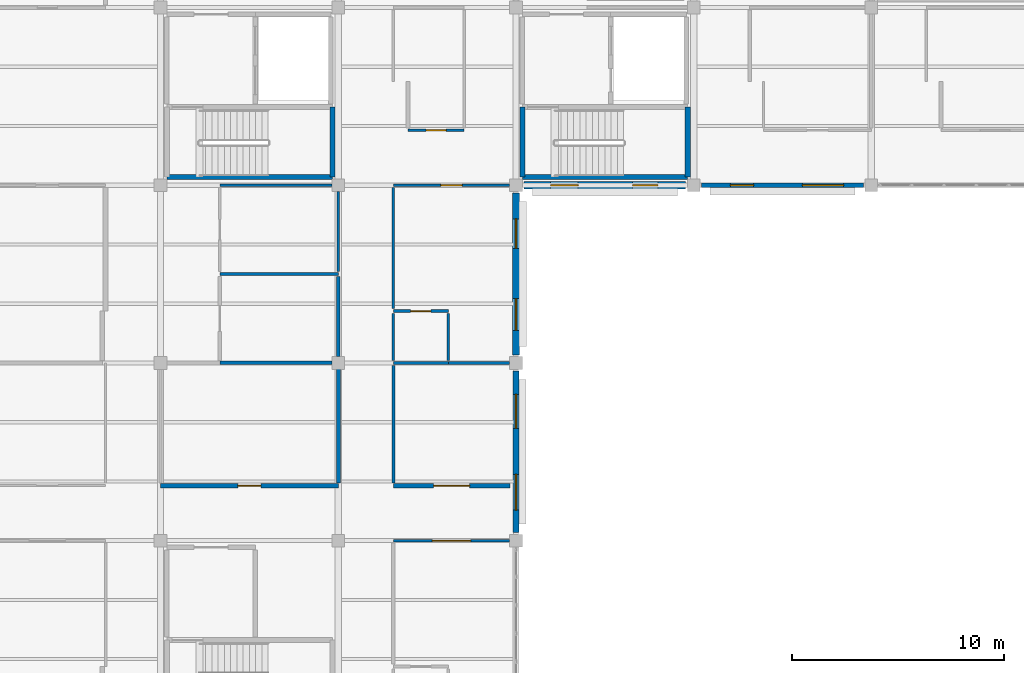
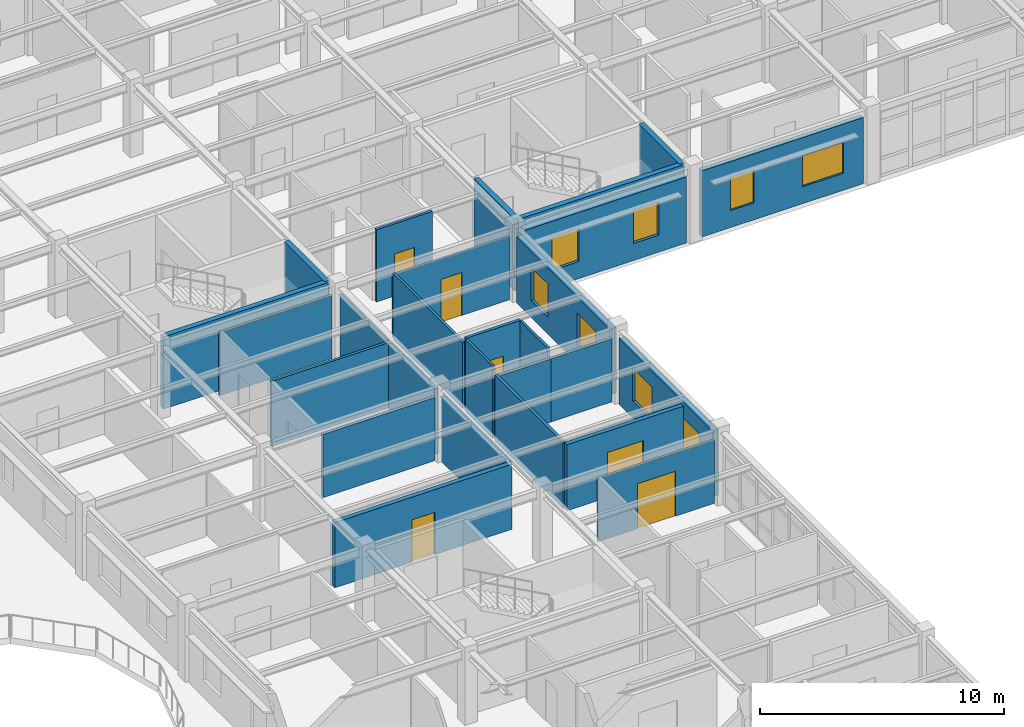
# One storey, part 60 of 86: 27 walls, 8 windows, 6 doors, 14 openings.
"""IFC4 building model written with IfcOpenShell, lengths in metres."""

from ifc_helpers import new_model, si_unit, direction, frame, frame_2d, origin, place, context, subcontext, project, spatial, rectangle, extrude, material, layer, layer_set, type_object, element, fill, save


model = new_model("IFC4")

# Units and contexts
model_context = context("Model", 3, precision=1e-05, world=origin(), true_north=direction((0.0, 1.0)))
body_context = subcontext(model_context, "Body", "Model", "MODEL_VIEW")
ifc_project = project(units=[si_unit("LENGTHUNIT", "METRE"), si_unit("AREAUNIT", "SQUARE_METRE"), si_unit("VOLUMEUNIT", "CUBIC_METRE"), si_unit("PLANEANGLEUNIT", "RADIAN"), si_unit("MASSUNIT", "GRAM", prefix="KILO")], contexts=[model_context])

# Site, building, storey
site_placement = place(None, origin())
site = spatial("IfcSite", under=ifc_project, at=site_placement, CompositionType="ELEMENT")
building_placement = place(site_placement, origin())
building = spatial("IfcBuilding", under=site, at=building_placement, Name="Bramfleet General Hospital", CompositionType="ELEMENT")
storey_placement = place(building_placement, frame((0.0, 0.0, 18.60009765625)))
storey = spatial("IfcBuildingStorey", under=building, at=storey_placement, Name="L04", CompositionType="ELEMENT", Elevation=18.60009765625)

# Wall, openings, windows
ifc_material_1 = material(Name="Precast concrete C40/50", Category="concrete")
ifc_layer_1 = layer(ifc_material_1, 0.3349609375, Name="WT-EW-03")
ifc_layer_set_1 = layer_set([ifc_layer_1], Name="Precast concrete C40/50")
wall_type_1 = type_object("IfcWallType", Name="WT-EW-03", PredefinedType="SOLIDWALL", material=ifc_layer_set_1)
wall_1_placement = place(storey_placement, frame((125.625, 92.39990234375, 0.0), z_axis=(0.0, 0.0, 1.0), x_axis=(-1.0, 0.0, 0.0)))
wall_1 = element("IfcWall", 1, at=wall_1_placement, inside=storey, type_object=wall_type_1, Name="L04 Exterior Wall 302", PredefinedType="SOLIDWALL", context=body_context, shape_type="SweptSolid", body=[
    extrude(rectangle(XDim=7.64990234375, YDim=0.3349609375, at=frame_2d((3.824951171875, 0.0))), origin(), (0.0, 0.0, 1.0), 3.309814453125),
])
opening_1_placement = place(wall_1_placement, frame((1.3125, 0.0, 0.85009765625)))
opening_1 = element("IfcOpeningElement", 2, at=opening_1_placement, cuts=wall_1, Name="Opening W-32", PredefinedType="OPENING", context=body_context, shape_type="SweptSolid", body=[
    extrude(rectangle(XDim=1.199951171875, YDim=1.659912109375, at=frame_2d((0.60009765625, 0.830078125))), frame((0.0, 0.177490234375, 0.0), z_axis=(0.0, -1.0, 0.0), x_axis=(1.0, 0.0, 0.0)), (0.0, 0.0, 1.0), 0.35498046875),
])
opening_2_placement = place(wall_1_placement, frame((5.08740234375, 0.0, 0.85009765625)))
opening_2 = element("IfcOpeningElement", 3, at=opening_2_placement, cuts=wall_1, Name="Opening W-33", PredefinedType="OPENING", context=body_context, shape_type="SweptSolid", body=[
    extrude(rectangle(XDim=1.300048828125, YDim=1.659912109375, at=frame_2d((0.64990234375, 0.830078125))), frame((0.0, 0.177490234375, 0.0), z_axis=(0.0, -1.0, 0.0), x_axis=(1.0, 0.0, 0.0)), (0.0, 0.0, 1.0), 0.35498046875),
])
ifc_material_2 = material(Name="Anodised aluminium and low-E triple glazing", Category="aluminium")
window_type_1 = type_object("IfcWindowType", Name="WIN-W-32", PartitioningType="SINGLE_PANEL", PredefinedType="WINDOW", material=ifc_material_2)
window_1_placement = place(opening_1_placement, origin())
window_1 = element("IfcWindow", 4, at=window_1_placement, inside=storey, type_object=window_type_1, Name="L04 Facade Window WIN-L04-302-1", OverallHeight=1.659912109375, OverallWidth=1.199951171875, PartitioningType="SINGLE_PANEL", PredefinedType="WINDOW", context=body_context, shape_type="SweptSolid", body=[
    extrude(rectangle(XDim=1.199951171875, YDim=1.659912109375, at=frame_2d((0.60009765625, 0.830078125))), frame((0.0, 0.030029296875, 0.0), z_axis=(0.0, -1.0, 0.0), x_axis=(1.0, 0.0, 0.0)), (0.0, 0.0, 1.0), 0.06005859375),
])
fill(opening_1, window_1)
window_type_2 = type_object("IfcWindowType", Name="WIN-W-33", PartitioningType="SINGLE_PANEL", PredefinedType="WINDOW", material=ifc_material_2)
window_2_placement = place(opening_2_placement, origin())
window_2 = element("IfcWindow", 5, at=window_2_placement, inside=storey, type_object=window_type_2, Name="L04 Facade Window WIN-L04-302-2", OverallHeight=1.659912109375, OverallWidth=1.300048828125, PartitioningType="SINGLE_PANEL", PredefinedType="WINDOW", context=body_context, shape_type="SweptSolid", body=[
    extrude(rectangle(XDim=1.300048828125, YDim=1.659912109375, at=frame_2d((0.64990234375, 0.830078125))), frame((0.0, 0.030029296875, 0.0), z_axis=(0.0, -1.0, 0.0), x_axis=(1.0, 0.0, 0.0)), (0.0, 0.0, 1.0), 0.06005859375),
])
fill(opening_2, window_2)

ifc_layer_2 = layer(ifc_material_1, 0.31494140625, Name="WT-EW-04")
ifc_layer_set_2 = layer_set([ifc_layer_2], Name="Precast concrete C40/50")
wall_type_2 = type_object("IfcWallType", Name="WT-EW-04", PredefinedType="SOLIDWALL", material=ifc_layer_set_2)
wall_2_placement = place(storey_placement, frame((117.60009765625, 92.02490234375, 0.0), z_axis=(0.0, 0.0, 1.0), x_axis=(0.0, -1.0, 0.0)))
wall_2 = element("IfcWall", 6, at=wall_2_placement, inside=storey, type_object=wall_type_2, Name="L04 Exterior Wall 303", PredefinedType="SOLIDWALL", context=body_context, shape_type="SweptSolid", body=[
    extrude(rectangle(XDim=7.64990234375, YDim=0.31494140625, at=frame_2d((3.824951171875, 0.0))), origin(), (0.0, 0.0, 1.0), 3.309814453125),
])
opening_3_placement = place(wall_2_placement, frame((1.21240234375, 0.0, 0.85009765625)))
opening_3 = element("IfcOpeningElement", 7, at=opening_3_placement, cuts=wall_2, Name="Opening W-34", PredefinedType="OPENING", context=body_context, shape_type="SweptSolid", body=[
    extrude(rectangle(XDim=1.39990234375, YDim=1.659912109375, at=frame_2d((0.699951171875, 0.830078125))), frame((0.0, 0.16748046875, 0.0), z_axis=(0.0, -1.0, 0.0), x_axis=(1.0, 0.0, 0.0)), (0.0, 0.0, 1.0), 0.3349609375),
])
opening_4_placement = place(wall_2_placement, frame((4.987548828125, 0.0, 0.85009765625)))
opening_4 = element("IfcOpeningElement", 8, at=opening_4_placement, cuts=wall_2, Name="Opening W-35", PredefinedType="OPENING", context=body_context, shape_type="SweptSolid", body=[
    extrude(rectangle(XDim=1.5, YDim=1.659912109375, at=frame_2d((0.75, 0.830078125))), frame((0.0, 0.16748046875, 0.0), z_axis=(0.0, -1.0, 0.0), x_axis=(1.0, 0.0, 0.0)), (0.0, 0.0, 1.0), 0.3349609375),
])
window_type_3 = type_object("IfcWindowType", Name="WIN-W-34", PartitioningType="SINGLE_PANEL", PredefinedType="WINDOW", material=ifc_material_2)
window_3_placement = place(opening_3_placement, origin())
window_3 = element("IfcWindow", 9, at=window_3_placement, inside=storey, type_object=window_type_3, Name="L04 Facade Window WIN-L04-303-1", OverallHeight=1.659912109375, OverallWidth=1.39990234375, PartitioningType="SINGLE_PANEL", PredefinedType="WINDOW", context=body_context, shape_type="SweptSolid", body=[
    extrude(rectangle(XDim=1.39990234375, YDim=1.659912109375, at=frame_2d((0.699951171875, 0.830078125))), frame((0.0, 0.030029296875, 0.0), z_axis=(0.0, -1.0, 0.0), x_axis=(1.0, 0.0, 0.0)), (0.0, 0.0, 1.0), 0.06005859375),
])
fill(opening_3, window_3)
window_type_4 = type_object("IfcWindowType", Name="WIN-W-35", PartitioningType="SINGLE_PANEL", PredefinedType="WINDOW", material=ifc_material_2)
window_4_placement = place(opening_4_placement, origin())
window_4 = element("IfcWindow", 10, at=window_4_placement, inside=storey, type_object=window_type_4, Name="L04 Facade Window WIN-L04-303-2", OverallHeight=1.659912109375, OverallWidth=1.5, PartitioningType="SINGLE_PANEL", PredefinedType="WINDOW", context=body_context, shape_type="SweptSolid", body=[
    extrude(rectangle(XDim=1.5, YDim=1.659912109375, at=frame_2d((0.75, 0.830078125))), frame((0.0, 0.030029296875, 0.0), z_axis=(0.0, -1.0, 0.0), x_axis=(1.0, 0.0, 0.0)), (0.0, 0.0, 1.0), 0.06005859375),
])
fill(opening_4, window_4)

ifc_layer_3 = layer(ifc_material_1, 0.294921875, Name="WT-EW-05")
ifc_layer_set_3 = layer_set([ifc_layer_3], Name="Precast concrete C40/50")
wall_type_3 = type_object("IfcWallType", Name="WT-EW-05", PredefinedType="SOLIDWALL", material=ifc_layer_set_3)
wall_3_placement = place(storey_placement, frame((117.60009765625, 83.625, 0.0), z_axis=(0.0, 0.0, 1.0), x_axis=(0.0, -1.0, 0.0)))
wall_3 = element("IfcWall", 11, at=wall_3_placement, inside=storey, type_object=wall_type_3, Name="L04 Exterior Wall 304", PredefinedType="SOLIDWALL", context=body_context, shape_type="SweptSolid", body=[
    extrude(rectangle(XDim=7.64990234375, YDim=0.294921875, at=frame_2d((3.824951171875, 0.0))), origin(), (0.0, 0.0, 1.0), 3.309814453125),
])
opening_5_placement = place(wall_3_placement, frame((1.112548828125, 0.0, 0.85009765625)))
opening_5 = element("IfcOpeningElement", 12, at=opening_5_placement, cuts=wall_3, Name="Opening W-36", PredefinedType="OPENING", context=body_context, shape_type="SweptSolid", body=[
    extrude(rectangle(XDim=1.60009765625, YDim=1.659912109375, at=frame_2d((0.800048828125, 0.830078125))), frame((0.0, 0.157470703125, 0.0), z_axis=(0.0, -1.0, 0.0), x_axis=(1.0, 0.0, 0.0)), (0.0, 0.0, 1.0), 0.31494140625),
])
opening_6_placement = place(wall_3_placement, frame((4.887451171875, 0.0, 0.85009765625)))
opening_6 = element("IfcOpeningElement", 13, at=opening_6_placement, cuts=wall_3, Name="Opening W-37", PredefinedType="OPENING", context=body_context, shape_type="SweptSolid", body=[
    extrude(rectangle(XDim=1.699951171875, YDim=1.659912109375, at=frame_2d((0.85009765625, 0.830078125))), frame((0.0, 0.157470703125, 0.0), z_axis=(0.0, -1.0, 0.0), x_axis=(1.0, 0.0, 0.0)), (0.0, 0.0, 1.0), 0.31494140625),
])
window_type_5 = type_object("IfcWindowType", Name="WIN-W-36", PartitioningType="SINGLE_PANEL", PredefinedType="WINDOW", material=ifc_material_2)
window_5_placement = place(opening_5_placement, origin())
window_5 = element("IfcWindow", 14, at=window_5_placement, inside=storey, type_object=window_type_5, Name="L04 Facade Window WIN-L04-304-1", OverallHeight=1.659912109375, OverallWidth=1.60009765625, PartitioningType="SINGLE_PANEL", PredefinedType="WINDOW", context=body_context, shape_type="SweptSolid", body=[
    extrude(rectangle(XDim=1.60009765625, YDim=1.659912109375, at=frame_2d((0.800048828125, 0.830078125))), frame((0.0, 0.030029296875, 0.0), z_axis=(0.0, -1.0, 0.0), x_axis=(1.0, 0.0, 0.0)), (0.0, 0.0, 1.0), 0.06005859375),
])
fill(opening_5, window_5)
window_type_6 = type_object("IfcWindowType", Name="WIN-W-37", PartitioningType="SINGLE_PANEL", PredefinedType="WINDOW", material=ifc_material_2)
window_6_placement = place(opening_6_placement, origin())
window_6 = element("IfcWindow", 15, at=window_6_placement, inside=storey, type_object=window_type_6, Name="L04 Facade Window WIN-L04-304-2", OverallHeight=1.659912109375, OverallWidth=1.699951171875, PartitioningType="SINGLE_PANEL", PredefinedType="WINDOW", context=body_context, shape_type="SweptSolid", body=[
    extrude(rectangle(XDim=1.699951171875, YDim=1.659912109375, at=frame_2d((0.85009765625, 0.830078125))), frame((0.0, 0.030029296875, 0.0), z_axis=(0.0, -1.0, 0.0), x_axis=(1.0, 0.0, 0.0)), (0.0, 0.0, 1.0), 0.06005859375),
])
fill(opening_6, window_6)

ifc_layer_4 = layer(ifc_material_1, 0.235107421875, Name="WT-EW-09")
ifc_layer_set_4 = layer_set([ifc_layer_4], Name="Precast concrete C40/50")
wall_type_4 = type_object("IfcWallType", Name="WT-EW-09", PredefinedType="SOLIDWALL", material=ifc_layer_set_4)
wall_4_placement = place(storey_placement, frame((134.02490234375, 92.39990234375, 0.0), z_axis=(0.0, 0.0, 1.0), x_axis=(-1.0, 0.0, 0.0)))
wall_4 = element("IfcWall", 16, at=wall_4_placement, inside=storey, type_object=wall_type_4, Name="L04 Exterior Wall 301", PredefinedType="SOLIDWALL", context=body_context, shape_type="SweptSolid", body=[
    extrude(rectangle(XDim=7.64990234375, YDim=0.235107421875, at=frame_2d((3.824951171875, 0.0))), origin(), (0.0, 0.0, 1.0), 3.309814453125),
])
opening_7_placement = place(wall_4_placement, frame((0.9375, 0.0, 0.85009765625)))
opening_7 = element("IfcOpeningElement", 17, at=opening_7_placement, cuts=wall_4, Name="Opening W-30", PredefinedType="OPENING", context=body_context, shape_type="SweptSolid", body=[
    extrude(rectangle(XDim=1.949951171875, YDim=1.5400390625, at=frame_2d((0.97509765625, 0.77001953125))), frame((0.0, 0.12744140625, 0.0), z_axis=(0.0, -1.0, 0.0), x_axis=(1.0, 0.0, 0.0)), (0.0, 0.0, 1.0), 0.255126953125),
])
opening_8_placement = place(wall_4_placement, frame((5.1875, 0.0, 0.85009765625)))
opening_8 = element("IfcOpeningElement", 18, at=opening_8_placement, cuts=wall_4, Name="Opening W-31", PredefinedType="OPENING", context=body_context, shape_type="SweptSolid", body=[
    extrude(rectangle(XDim=1.10009765625, YDim=1.659912109375, at=frame_2d((0.550048828125, 0.830078125))), frame((0.0, 0.12744140625, 0.0), z_axis=(0.0, -1.0, 0.0), x_axis=(1.0, 0.0, 0.0)), (0.0, 0.0, 1.0), 0.255126953125),
])
window_type_7 = type_object("IfcWindowType", Name="WIN-W-30", PartitioningType="SINGLE_PANEL", PredefinedType="WINDOW", material=ifc_material_2)
window_7_placement = place(opening_7_placement, origin())
window_7 = element("IfcWindow", 19, at=window_7_placement, inside=storey, type_object=window_type_7, Name="L04 Facade Window WIN-L04-301-1", OverallHeight=1.5400390625, OverallWidth=1.949951171875, PartitioningType="SINGLE_PANEL", PredefinedType="WINDOW", context=body_context, shape_type="SweptSolid", body=[
    extrude(rectangle(XDim=1.949951171875, YDim=1.5400390625, at=frame_2d((0.97509765625, 0.77001953125))), frame((0.0, 0.030029296875, 0.0), z_axis=(0.0, -1.0, 0.0), x_axis=(1.0, 0.0, 0.0)), (0.0, 0.0, 1.0), 0.06005859375),
])
fill(opening_7, window_7)
window_type_8 = type_object("IfcWindowType", Name="WIN-W-31", PartitioningType="SINGLE_PANEL", PredefinedType="WINDOW", material=ifc_material_2)
window_8_placement = place(opening_8_placement, origin())
window_8 = element("IfcWindow", 20, at=window_8_placement, inside=storey, type_object=window_type_8, Name="L04 Facade Window WIN-L04-301-2", OverallHeight=1.659912109375, OverallWidth=1.10009765625, PartitioningType="SINGLE_PANEL", PredefinedType="WINDOW", context=body_context, shape_type="SweptSolid", body=[
    extrude(rectangle(XDim=1.10009765625, YDim=1.659912109375, at=frame_2d((0.550048828125, 0.830078125))), frame((0.0, 0.030029296875, 0.0), z_axis=(0.0, -1.0, 0.0), x_axis=(1.0, 0.0, 0.0)), (0.0, 0.0, 1.0), 0.06005859375),
])
fill(opening_8, window_8)

# Wall, opening, door
ifc_material_3 = material(Name="Concrete C35/45", Category="concrete")
ifc_layer_5 = layer(ifc_material_3, 0.219970703125, Name="WT-IW-01")
ifc_layer_set_5 = layer_set([ifc_layer_5], Name="Concrete C35/45")
wall_type_5 = type_object("IfcWallType", Name="WT-IW-01", PredefinedType="PARTITIONING", material=ifc_layer_set_5)
wall_5_placement = place(storey_placement, frame((100.800048828125, 78.199951171875, 0.0), z_axis=(0.0, 0.0, 1.0), x_axis=(1.0, 0.0, 0.0)))
wall_5 = element("IfcWall", 21, at=wall_5_placement, inside=storey, type_object=wall_type_5, Name="L04 Interior Partition IW-L04-3169", PredefinedType="PARTITIONING", context=body_context, shape_type="SweptSolid", body=[
    extrude(rectangle(XDim=8.39990234375, YDim=0.219970703125, at=frame_2d((4.199951171875, 0.0))), origin(), (0.0, 0.0, 1.0), 3.260009765625),
])
opening_9_placement = place(wall_5_placement, frame((3.659912109375, 0.0, 0.0)))
opening_9 = element("IfcOpeningElement", 22, at=opening_9_placement, cuts=wall_5, Name="Opening D1270", PredefinedType="OPENING", context=body_context, shape_type="SweptSolid", body=[
    extrude(rectangle(XDim=1.080078125, YDim=2.1201171875, at=frame_2d((0.5400390625, 1.06005859375))), frame((0.0, 0.119873046875, 0.0), z_axis=(0.0, -1.0, 0.0), x_axis=(1.0, 0.0, 0.0)), (0.0, 0.0, 1.0), 0.239990234375),
])
ifc_material_4 = material(Name="Stainless steel and acoustic timber leaf", Category="steel")
door_type_1 = type_object("IfcDoorType", Name="DR-D-22", OperationType="NOTDEFINED", PredefinedType="DOOR", material=ifc_material_4)
door_1_placement = place(opening_9_placement, origin())
door_1 = element("IfcDoor", 23, at=door_1_placement, inside=storey, type_object=door_type_1, Name="Surgical Inpatient Ward Nurse Station L04-1209 Door D1270", OperationType="SINGLE_SWING_LEFT", OverallHeight=2.1201171875, OverallWidth=1.080078125, PredefinedType="DOOR", context=body_context, shape_type="SweptSolid", body=[
    extrude(rectangle(XDim=1.080078125, YDim=2.1201171875, at=frame_2d((0.5400390625, 1.06005859375))), frame((0.0, 0.02490234375, 0.0), z_axis=(0.0, -1.0, 0.0), x_axis=(1.0, 0.0, 0.0)), (0.0, 0.0, 1.0), 0.050048828125),
])
fill(opening_9, door_1)

ifc_layer_6 = layer(ifc_material_3, 0.205078125, Name="WT-IW-02")
ifc_layer_set_6 = layer_set([ifc_layer_6], Name="Concrete C35/45")
wall_type_6 = type_object("IfcWallType", Name="WT-IW-02", PredefinedType="PARTITIONING", material=ifc_layer_set_6)
wall_6_placement = place(storey_placement, frame((111.800048828125, 78.199951171875, 0.0), z_axis=(0.0, 0.0, 1.0), x_axis=(1.0, 0.0, 0.0)))
wall_6 = element("IfcWall", 24, at=wall_6_placement, inside=storey, type_object=wall_type_6, Name="L04 Interior Partition IW-L04-3170", PredefinedType="PARTITIONING", context=body_context, shape_type="SweptSolid", body=[
    extrude(rectangle(XDim=5.52001953125, YDim=0.205078125, at=frame_2d((2.760009765625, 0.0))), origin(), (0.0, 0.0, 1.0), 3.309814453125),
])
opening_10_placement = place(wall_6_placement, frame((1.909912109375, 0.0, 0.0)))
opening_10 = element("IfcOpeningElement", 25, at=opening_10_placement, cuts=wall_6, Name="Opening D1287", PredefinedType="OPENING", context=body_context, shape_type="SweptSolid", body=[
    extrude(rectangle(XDim=1.699951171875, YDim=2.25, at=frame_2d((0.85009765625, 1.125))), frame((0.0, 0.112548828125, 0.0), z_axis=(0.0, -1.0, 0.0), x_axis=(1.0, 0.0, 0.0)), (0.0, 0.0, 1.0), 0.22509765625),
])
door_type_2 = type_object("IfcDoorType", Name="DR-D-07", OperationType="NOTDEFINED", PredefinedType="DOOR", material=ifc_material_4)
door_2_placement = place(opening_10_placement, origin())
door_2 = element("IfcDoor", 26, at=door_2_placement, inside=storey, type_object=door_type_2, Name="Surgical Inpatient Ward Bedroom L04-1309 Door D1287", OperationType="DOUBLE_SWING_RIGHT", OverallHeight=2.25, OverallWidth=1.699951171875, PredefinedType="DOOR", context=body_context, shape_type="SweptSolid", body=[
    extrude(rectangle(XDim=1.699951171875, YDim=2.25, at=frame_2d((0.85009765625, 1.125))), frame((0.0, 0.02490234375, 0.0), z_axis=(0.0, -1.0, 0.0), x_axis=(1.0, 0.0, 0.0)), (0.0, 0.0, 1.0), 0.050048828125),
])
fill(opening_10, door_2)

# Walls
ifc_layer_7 = layer(ifc_material_3, 0.18994140625, Name="WT-IW-03")
ifc_layer_set_7 = layer_set([ifc_layer_7], Name="Concrete C35/45")
wall_type_7 = type_object("IfcWallType", Name="WT-IW-03", PredefinedType="PARTITIONING", material=ifc_layer_set_7)
wall_7_placement = place(storey_placement, frame((109.199951171875, 78.31494140625, 0.0), z_axis=(0.0, 0.0, 1.0), x_axis=(0.0, 1.0, 0.0)))
element("IfcWall", 27, at=wall_7_placement, inside=storey, type_object=wall_type_7, Name="L04 Interior Partition IW-L04-3375", PredefinedType="PARTITIONING", context=body_context, shape_type="SweptSolid", body=[
    extrude(rectangle(XDim=5.39013671875, YDim=0.18994140625, at=frame_2d((2.695068359375, 0.0))), origin(), (0.0, 0.0, 1.0), 3.260009765625),
])
ifc_layer_8 = layer(ifc_material_3, 0.179931640625, Name="WT-IW-04")
ifc_layer_set_8 = layer_set([ifc_layer_8], Name="Concrete C35/45")
wall_type_8 = type_object("IfcWallType", Name="WT-IW-04", PredefinedType="PARTITIONING", material=ifc_layer_set_8)
wall_8_placement = place(storey_placement, frame((109.199951171875, 84.294921875, 0.0), z_axis=(0.0, 0.0, 1.0), x_axis=(0.0, 1.0, 0.0)))
element("IfcWall", 28, at=wall_8_placement, inside=storey, type_object=wall_type_8, Name="L04 Interior Partition IW-L04-3376", PredefinedType="PARTITIONING", context=body_context, shape_type="SweptSolid", body=[
    extrude(rectangle(XDim=3.7900390625, YDim=0.179931640625, at=frame_2d((1.89501953125, 0.0))), origin(), (0.0, 0.0, 1.0), 3.260009765625),
])
ifc_material_5 = material(Name="Gypsum plasterboard on acoustic steel studs", Category="steel")
ifc_layer_9 = layer(ifc_material_5, 0.169921875, Name="WT-IW-05")
ifc_layer_set_9 = layer_set([ifc_layer_9], Name="Gypsum plasterboard on acoustic steel studs")
wall_type_9 = type_object("IfcWallType", Name="WT-IW-05", PredefinedType="PARTITIONING", material=ifc_layer_set_9)
wall_9_placement = place(storey_placement, frame((103.60009765625, 84.0, 0.0), z_axis=(0.0, 0.0, 1.0), x_axis=(1.0, 0.0, 0.0)))
element("IfcWall", 29, at=wall_9_placement, inside=storey, type_object=wall_type_9, Name="L04 Interior Partition IW-L04-3173", PredefinedType="PARTITIONING", context=body_context, shape_type="SweptSolid", body=[
    extrude(rectangle(XDim=5.304931640625, YDim=0.169921875, at=frame_2d((2.65234375, 0.0))), origin(), (0.0, 0.0, 1.0), 3.159912109375),
])
ifc_layer_10 = layer(ifc_material_5, 0.159912109375, Name="WT-IW-06")
ifc_layer_set_10 = layer_set([ifc_layer_10], Name="Gypsum plasterboard on acoustic steel studs")
wall_type_10 = type_object("IfcWallType", Name="WT-IW-06", PredefinedType="PARTITIONING", material=ifc_layer_set_10)
wall_10_placement = place(storey_placement, frame((111.800048828125, 84.0, 0.0), z_axis=(0.0, 0.0, 1.0), x_axis=(1.0, 0.0, 0.0)))
element("IfcWall", 30, at=wall_10_placement, inside=storey, type_object=wall_type_10, Name="L04 Interior Partition IW-L04-3174", PredefinedType="PARTITIONING", context=body_context, shape_type="SweptSolid", body=[
    extrude(rectangle(XDim=2.599853515625, YDim=0.159912109375, at=frame_2d((1.2998046875, 0.0))), origin(), (0.0, 0.0, 1.0), 3.159912109375),
])
ifc_layer_11 = layer(ifc_material_5, 0.14990234375, Name="WT-IW-07")
ifc_layer_set_11 = layer_set([ifc_layer_11], Name="Gypsum plasterboard on acoustic steel studs")
wall_type_11 = type_object("IfcWallType", Name="WT-IW-07", PredefinedType="PARTITIONING", material=ifc_layer_set_11)
wall_11_placement = place(storey_placement, frame((114.39990234375, 84.0, 0.0), z_axis=(0.0, 0.0, 1.0), x_axis=(1.0, 0.0, 0.0)))
element("IfcWall", 31, at=wall_11_placement, inside=storey, type_object=wall_type_11, Name="L04 Interior Partition IW-L04-3175", PredefinedType="PARTITIONING", context=body_context, shape_type="SweptSolid", body=[
    extrude(rectangle(XDim=2.905029296875, YDim=0.14990234375, at=frame_2d((1.45263671875, 0.0))), origin(), (0.0, 0.0, 1.0), 3.159912109375),
])

# Wall, opening, door
ifc_layer_12 = layer(ifc_material_5, 0.139892578125, Name="WT-IW-08")
ifc_layer_set_12 = layer_set([ifc_layer_12], Name="Gypsum plasterboard on acoustic steel studs")
wall_type_12 = type_object("IfcWallType", Name="WT-IW-08", PredefinedType="PARTITIONING", material=ifc_layer_set_12)
wall_12_placement = place(storey_placement, frame((111.800048828125, 86.449951171875, 0.0), z_axis=(0.0, 0.0, 1.0), x_axis=(1.0, 0.0, 0.0)))
wall_12 = element("IfcWall", 32, at=wall_12_placement, inside=storey, type_object=wall_type_12, Name="L04 Interior Partition IW-L04-3176", PredefinedType="PARTITIONING", context=body_context, shape_type="SweptSolid", body=[
    extrude(rectangle(XDim=2.599853515625, YDim=0.139892578125, at=frame_2d((1.2998046875, 0.0))), origin(), (0.0, 0.0, 1.0), 3.60986328125),
])
opening_11_placement = place(wall_12_placement, frame((0.824951171875, 0.0, 0.0)))
opening_11 = element("IfcOpeningElement", 33, at=opening_11_placement, cuts=wall_12, Name="Opening D1289", PredefinedType="OPENING", context=body_context, shape_type="SweptSolid", body=[
    extrude(rectangle(XDim=0.949951171875, YDim=2.10009765625, at=frame_2d((0.47509765625, 1.050048828125))), frame((0.0, 0.079833984375, 0.0), z_axis=(0.0, -1.0, 0.0), x_axis=(1.0, 0.0, 0.0)), (0.0, 0.0, 1.0), 0.159912109375),
])
door_type_3 = type_object("IfcDoorType", Name="DR-D-10", OperationType="NOTDEFINED", PredefinedType="DOOR", material=ifc_material_4)
door_3_placement = place(opening_11_placement, origin())
door_3 = element("IfcDoor", 34, at=door_3_placement, inside=storey, type_object=door_type_3, Name="En-Suite Bathroom L04-1310 Door D1289", OperationType="SINGLE_SWING_LEFT", OverallHeight=2.10009765625, OverallWidth=0.949951171875, PredefinedType="DOOR", context=body_context, shape_type="SweptSolid", body=[
    extrude(rectangle(XDim=0.949951171875, YDim=2.10009765625, at=frame_2d((0.47509765625, 1.050048828125))), frame((0.0, 0.02490234375, 0.0), z_axis=(0.0, -1.0, 0.0), x_axis=(1.0, 0.0, 0.0)), (0.0, 0.0, 1.0), 0.050048828125),
])
fill(opening_11, door_3)

# Walls
wall_13_placement = place(storey_placement, frame((111.800048828125, 78.31494140625, 0.0), z_axis=(0.0, 0.0, 1.0), x_axis=(0.0, 1.0, 0.0)))
element("IfcWall", 35, at=wall_13_placement, inside=storey, type_object=wall_type_12, Name="L04 Interior Partition IW-L04-3392", PredefinedType="PARTITIONING", context=body_context, shape_type="SweptSolid", body=[
    extrude(rectangle(XDim=5.570068359375, YDim=0.139892578125, at=frame_2d((2.78515625, 0.0))), origin(), (0.0, 0.0, 1.0), 3.309814453125),
])
ifc_layer_13 = layer(ifc_material_5, 0.1298828125, Name="WT-IW-09")
ifc_layer_set_13 = layer_set([ifc_layer_13], Name="Gypsum plasterboard on acoustic steel studs")
wall_type_13 = type_object("IfcWallType", Name="WT-IW-09", PredefinedType="PARTITIONING", material=ifc_layer_set_13)
wall_14_placement = place(storey_placement, frame((103.60009765625, 88.199951171875, 0.0), z_axis=(0.0, 0.0, 1.0), x_axis=(1.0, 0.0, 0.0)))
element("IfcWall", 36, at=wall_14_placement, inside=storey, type_object=wall_type_13, Name="L04 Interior Partition IW-L04-3177", PredefinedType="PARTITIONING", context=body_context, shape_type="SweptSolid", body=[
    extrude(rectangle(XDim=5.599853515625, YDim=0.1298828125, at=frame_2d((2.7998046875, 0.0))), origin(), (0.0, 0.0, 1.0), 3.260009765625),
])

# Wall, opening, door
wall_15_placement = place(storey_placement, frame((112.5, 95.0, 0.0), z_axis=(0.0, 0.0, 1.0), x_axis=(1.0, 0.0, 0.0)))
wall_15 = element("IfcWall", 37, at=wall_15_placement, inside=storey, type_object=wall_type_13, Name="L04 Interior Partition IW-L04-3189", PredefinedType="PARTITIONING", context=body_context, shape_type="SweptSolid", body=[
    extrude(rectangle(XDim=2.64990234375, YDim=0.1298828125, at=frame_2d((1.324951171875, 0.0))), origin(), (0.0, 0.0, 1.0), 3.60986328125),
])
opening_12_placement = place(wall_15_placement, frame((0.85009765625, 0.0, 0.0)))
opening_12 = element("IfcOpeningElement", 38, at=opening_12_placement, cuts=wall_15, Name="Opening D1290", PredefinedType="OPENING", context=body_context, shape_type="SweptSolid", body=[
    extrude(rectangle(XDim=0.949951171875, YDim=2.10009765625, at=frame_2d((0.47509765625, 1.050048828125))), frame((0.0, 0.074951171875, 0.0), z_axis=(0.0, -1.0, 0.0), x_axis=(1.0, 0.0, 0.0)), (0.0, 0.0, 1.0), 0.14990234375),
])
door_4_placement = place(opening_12_placement, origin())
door_4 = element("IfcDoor", 39, at=door_4_placement, inside=storey, type_object=door_type_3, Name="Surgical Inpatient Ward Bedroom L04-1311 Door D1290", OperationType="SINGLE_SWING_LEFT", OverallHeight=2.10009765625, OverallWidth=0.949951171875, PredefinedType="DOOR", context=body_context, shape_type="SweptSolid", body=[
    extrude(rectangle(XDim=0.949951171875, YDim=2.10009765625, at=frame_2d((0.47509765625, 1.050048828125))), frame((0.0, 0.02490234375, 0.0), z_axis=(0.0, -1.0, 0.0), x_axis=(1.0, 0.0, 0.0)), (0.0, 0.0, 1.0), 0.050048828125),
])
fill(opening_12, door_4)

# Walls
ifc_layer_14 = layer(ifc_material_5, 0.1201171875, Name="WT-IW-10")
ifc_layer_set_14 = layer_set([ifc_layer_14], Name="Gypsum plasterboard on acoustic steel studs")
wall_type_14 = type_object("IfcWallType", Name="WT-IW-10", PredefinedType="PARTITIONING", material=ifc_layer_set_14)
wall_16_placement = place(storey_placement, frame((103.60009765625, 92.39990234375, 0.0), z_axis=(0.0, 0.0, 1.0), x_axis=(1.0, 0.0, 0.0)))
element("IfcWall", 40, at=wall_16_placement, inside=storey, type_object=wall_type_14, Name="L04 Interior Partition IW-L04-3179", PredefinedType="PARTITIONING", context=body_context, shape_type="SweptSolid", body=[
    extrude(rectangle(XDim=5.304931640625, YDim=0.1201171875, at=frame_2d((2.65234375, 0.0))), origin(), (0.0, 0.0, 1.0), 3.159912109375),
])
wall_17_placement = place(storey_placement, frame((109.199951171875, 88.31494140625, 0.0), z_axis=(0.0, 0.0, 1.0), x_axis=(0.0, 1.0, 0.0)))
element("IfcWall", 41, at=wall_17_placement, inside=storey, type_object=wall_type_14, Name="L04 Interior Partition IW-L04-3377", PredefinedType="PARTITIONING", context=body_context, shape_type="SweptSolid", body=[
    extrude(rectangle(XDim=3.7900390625, YDim=0.1201171875, at=frame_2d((1.89501953125, 0.0))), origin(), (0.0, 0.0, 1.0), 3.260009765625),
])
wall_18_placement = place(storey_placement, frame((111.800048828125, 84.114990234375, 0.0), z_axis=(0.0, 0.0, 1.0), x_axis=(0.0, 1.0, 0.0)))
element("IfcWall", 42, at=wall_18_placement, inside=storey, type_object=wall_type_14, Name="L04 Interior Partition IW-L04-3393", PredefinedType="PARTITIONING", context=body_context, shape_type="SweptSolid", body=[
    extrude(rectangle(XDim=2.219970703125, YDim=0.1201171875, at=frame_2d((1.10986328125, 0.0))), origin(), (0.0, 0.0, 1.0), 3.60986328125),
])
wall_19_placement = place(storey_placement, frame((111.800048828125, 86.56494140625, 0.0), z_axis=(0.0, 0.0, 1.0), x_axis=(0.0, 1.0, 0.0)))
element("IfcWall", 43, at=wall_19_placement, inside=storey, type_object=wall_type_14, Name="L04 Interior Partition IW-L04-3394", PredefinedType="PARTITIONING", context=body_context, shape_type="SweptSolid", body=[
    extrude(rectangle(XDim=5.719970703125, YDim=0.1201171875, at=frame_2d((2.85986328125, 0.0))), origin(), (0.0, 0.0, 1.0), 3.309814453125),
])
wall_20_placement = place(storey_placement, frame((114.39990234375, 84.114990234375, 0.0), z_axis=(0.0, 0.0, 1.0), x_axis=(0.0, 1.0, 0.0)))
element("IfcWall", 44, at=wall_20_placement, inside=storey, type_object=wall_type_14, Name="L04 Interior Partition IW-L04-3406", PredefinedType="PARTITIONING", context=body_context, shape_type="SweptSolid", body=[
    extrude(rectangle(XDim=2.219970703125, YDim=0.1201171875, at=frame_2d((1.10986328125, 0.0))), origin(), (0.0, 0.0, 1.0), 3.60986328125),
])

# Wall, opening, door
ifc_layer_15 = layer(ifc_material_5, 0.112060546875, Name="WT-IW-11")
ifc_layer_set_15 = layer_set([ifc_layer_15], Name="Gypsum plasterboard on acoustic steel studs")
wall_type_15 = type_object("IfcWallType", Name="WT-IW-11", PredefinedType="PARTITIONING", material=ifc_layer_set_15)
wall_21_placement = place(storey_placement, frame((111.800048828125, 75.60009765625, 0.0), z_axis=(0.0, 0.0, 1.0), x_axis=(1.0, 0.0, 0.0)))
wall_21 = element("IfcWall", 45, at=wall_21_placement, inside=storey, type_object=wall_type_15, Name="L04 Interior Partition IW-L04-3167", PredefinedType="PARTITIONING", context=body_context, shape_type="SweptSolid", body=[
    extrude(rectangle(XDim=5.5048828125, YDim=0.112060546875, at=frame_2d((2.75244140625, 0.0))), origin(), (0.0, 0.0, 1.0), 3.159912109375),
])
opening_13_placement = place(wall_21_placement, frame((1.8525390625, 0.0, 0.0)))
opening_13 = element("IfcOpeningElement", 46, at=opening_13_placement, cuts=wall_21, Name="Opening D1285", PredefinedType="OPENING", context=body_context, shape_type="SweptSolid", body=[
    extrude(rectangle(XDim=1.800048828125, YDim=2.25, at=frame_2d((0.89990234375, 1.125))), frame((0.0, 0.06591796875, 0.0), z_axis=(0.0, -1.0, 0.0), x_axis=(1.0, 0.0, 0.0)), (0.0, 0.0, 1.0), 0.132080078125),
])
door_type_4 = type_object("IfcDoorType", Name="DR-D-05", OperationType="NOTDEFINED", PredefinedType="DOOR", material=ifc_material_4)
door_5_placement = place(opening_13_placement, origin())
door_5 = element("IfcDoor", 47, at=door_5_placement, inside=storey, type_object=door_type_4, Name="Surgical Inpatient Ward Bedroom L04-1308 Door D1285", OperationType="DOUBLE_SWING_RIGHT", OverallHeight=2.25, OverallWidth=1.800048828125, PredefinedType="DOOR", context=body_context, shape_type="SweptSolid", body=[
    extrude(rectangle(XDim=1.800048828125, YDim=2.25, at=frame_2d((0.89990234375, 1.125))), frame((0.0, 0.02490234375, 0.0), z_axis=(0.0, -1.0, 0.0), x_axis=(1.0, 0.0, 0.0)), (0.0, 0.0, 1.0), 0.050048828125),
])
fill(opening_13, door_5)

ifc_layer_16 = layer(ifc_material_5, 0.10009765625, Name="WT-IW-12")
ifc_layer_set_16 = layer_set([ifc_layer_16], Name="Gypsum plasterboard on acoustic steel studs")
wall_type_16 = type_object("IfcWallType", Name="WT-IW-12", PredefinedType="PARTITIONING", material=ifc_layer_set_16)
wall_22_placement = place(storey_placement, frame((111.800048828125, 92.39990234375, 0.0), z_axis=(0.0, 0.0, 1.0), x_axis=(1.0, 0.0, 0.0)))
wall_22 = element("IfcWall", 48, at=wall_22_placement, inside=storey, type_object=wall_type_16, Name="L04 Interior Partition IW-L04-3180", PredefinedType="PARTITIONING", context=body_context, shape_type="SweptSolid", body=[
    extrude(rectangle(XDim=5.5048828125, YDim=0.10009765625, at=frame_2d((2.75244140625, 0.0))), origin(), (0.0, 0.0, 1.0), 3.159912109375),
])
opening_14_placement = place(wall_22_placement, frame((2.25244140625, 0.0, 0.0)))
opening_14 = element("IfcOpeningElement", 49, at=opening_14_placement, cuts=wall_22, Name="Opening D1288", PredefinedType="OPENING", context=body_context, shape_type="SweptSolid", body=[
    extrude(rectangle(XDim=1.0, YDim=2.14990234375, at=frame_2d((0.5, 1.074951171875))), frame((0.0, 0.06005859375, 0.0), z_axis=(0.0, -1.0, 0.0), x_axis=(1.0, 0.0, 0.0)), (0.0, 0.0, 1.0), 0.1201171875),
])
door_type_5 = type_object("IfcDoorType", Name="DR-D-08", OperationType="NOTDEFINED", PredefinedType="DOOR", material=ifc_material_4)
door_6_placement = place(opening_14_placement, origin())
door_6 = element("IfcDoor", 50, at=door_6_placement, inside=storey, type_object=door_type_5, Name="Surgical Inpatient Ward Bedroom L04-1310 Door D1288", OperationType="SINGLE_SWING_LEFT", OverallHeight=2.14990234375, OverallWidth=1.0, PredefinedType="DOOR", context=body_context, shape_type="SweptSolid", body=[
    extrude(rectangle(XDim=1.0, YDim=2.14990234375, at=frame_2d((0.5, 1.074951171875))), frame((0.0, 0.02490234375, 0.0), z_axis=(0.0, -1.0, 0.0), x_axis=(1.0, 0.0, 0.0)), (0.0, 0.0, 1.0), 0.050048828125),
])
fill(opening_14, door_6)

# Walls
ifc_material_6 = material(Name="Concrete C40/50", Category="concrete")
ifc_layer_17 = layer(ifc_material_6, 0.239990234375, Name="WT-SW-240")
ifc_layer_set_17 = layer_set([ifc_layer_17], Name="Concrete C40/50")
wall_type_17 = type_object("IfcWallType", Name="WT-SW-240", PredefinedType="SHEAR", material=ifc_layer_set_17)
wall_23_placement = place(storey_placement, frame((101.10009765625, 92.780029296875, 0.0), z_axis=(0.0, 0.0, 1.0), x_axis=(1.0, 0.0, 0.0)))
element("IfcWall", 51, at=wall_23_placement, inside=storey, type_object=wall_type_17, Name="L04 C4 South Stair Shear Wall", PredefinedType="SHEAR", context=body_context, shape_type="SweptSolid", body=[
    extrude(rectangle(XDim=7.81982421875, YDim=0.239990234375, at=frame_2d((3.909912109375, 0.0))), origin(), (0.0, 0.0, 1.0), 3.619873046875),
])
wall_24_placement = place(storey_placement, frame((108.919921875, 92.780029296875, 0.0), z_axis=(0.0, 0.0, 1.0), x_axis=(0.0, 1.0, 0.0)))
element("IfcWall", 52, at=wall_24_placement, inside=storey, type_object=wall_type_17, Name="L04 C4 East Stair Shear Wall", PredefinedType="SHEAR", context=body_context, shape_type="SweptSolid", body=[
    extrude(rectangle(XDim=3.320068359375, YDim=0.239990234375, at=frame_2d((1.66015625, 0.0))), origin(), (0.0, 0.0, 1.0), 3.619873046875),
])
wall_25_placement = place(storey_placement, frame((117.89990234375, 92.780029296875, 0.0), z_axis=(0.0, 0.0, 1.0), x_axis=(1.0, 0.0, 0.0)))
element("IfcWall", 53, at=wall_25_placement, inside=storey, type_object=wall_type_17, Name="L04 C6 South Stair Shear Wall", PredefinedType="SHEAR", context=body_context, shape_type="SweptSolid", body=[
    extrude(rectangle(XDim=7.820068359375, YDim=0.239990234375, at=frame_2d((3.91015625, 0.0))), origin(), (0.0, 0.0, 1.0), 3.619873046875),
])
for number, where, z_axis, x_axis, name in (
    (54, (117.89990234375, 92.780029296875, 0.0), (0.0, 0.0, 1.0), (0.0, 1.0, 0.0), "L04 C6 West Stair Shear Wall"),
    (55, (125.719970703125, 92.780029296875, 0.0), (0.0, 0.0, 1.0), (0.0, 1.0, 0.0), "L04 C6 East Stair Shear Wall"),
):
    element("IfcWall", number, at=place(storey_placement, frame(where, z_axis=z_axis, x_axis=x_axis)), inside=storey, type_object=wall_type_17, Name=name, PredefinedType="SHEAR", context=body_context, shape_type="SweptSolid", body=[
        extrude(rectangle(XDim=3.320068359375, YDim=0.239990234375, at=frame_2d((1.66015625, 0.0))), origin(), (0.0, 0.0, 1.0), 3.619873046875),
    ])

save(model, "model.ifc")
